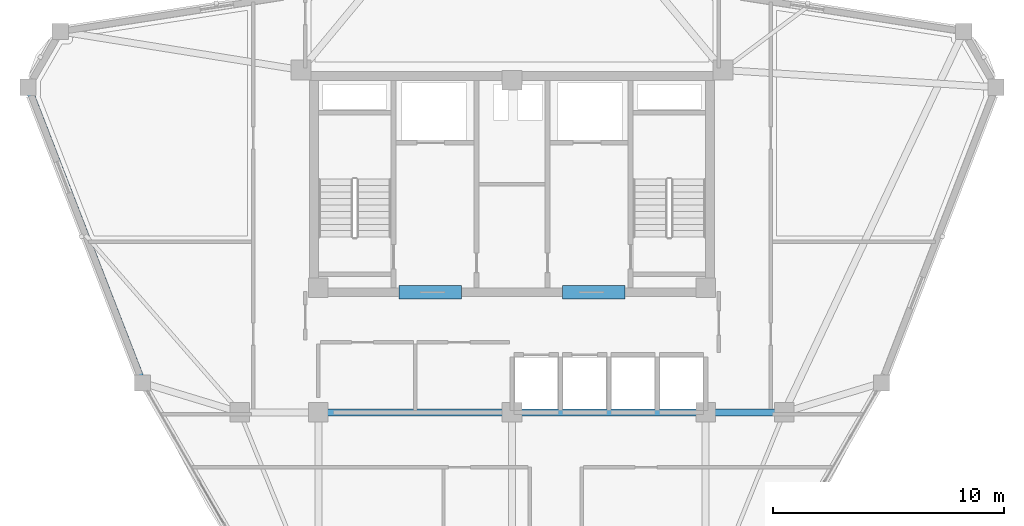
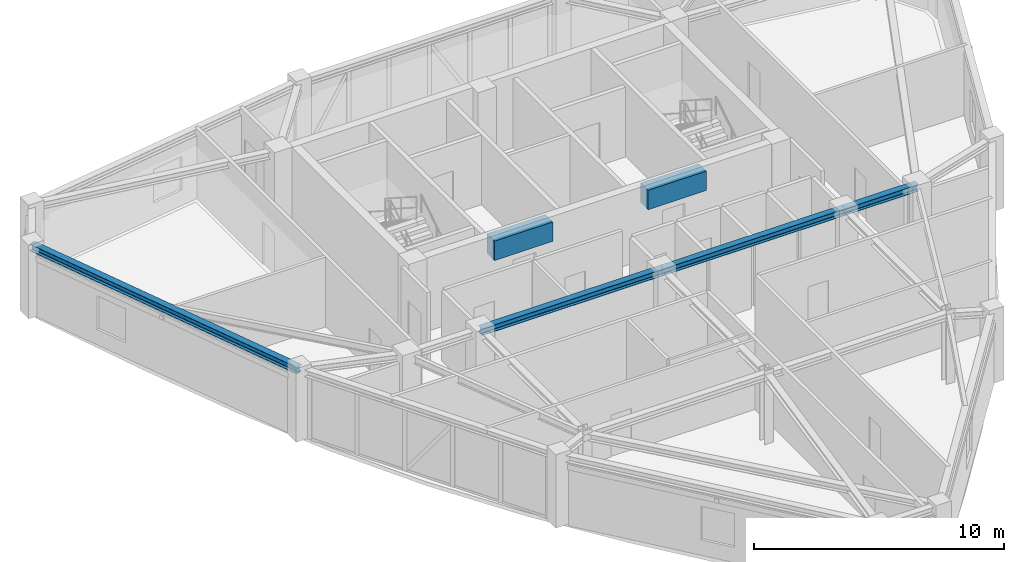
# One storey, part 6 of 15: 6 beams.
"""IFC4 building model written with IfcOpenShell, lengths in metres."""

import ifcopenshell
import ifcopenshell.guid

model = None  # the IFC model being written
_history = None  # IfcOwnerHistory: only IFC2X3 demands one
_inside = {}  # id of a spatial element -> (the spatial element, [elements in it])
_under = {}  # id of a project, library or spatial element -> (it, [spatial elements below it])
_declared = {}  # id of a project -> (the project, [libraries it declares])
_typed = {}  # id of a type object -> (the type object, [elements of that type])
_made_of = {}  # id of a material, layer set ... -> (it, [elements and type objects made of it])


def new_model(schema):
    """Start an empty IFC model of exactly this schema.

    Asked for "IFC4X3", IfcOpenShell would pick the latest addendum, in which some entities
    have other attributes; the version numbers below select the first issue.
    IFC2X3 requires an IfcOwnerHistory on every rooted entity: one is made here for all.
    """
    global model, _history
    if schema == "IFC4X3":
        model = ifcopenshell.file(schema_version=(4, 3, 0, 0))
    else:
        model = ifcopenshell.file(schema=schema)
    _inside.clear()
    _under.clear()
    _declared.clear()
    _typed.clear()
    _made_of.clear()
    _history = None
    if model.schema == "IFC2X3":
        org = make("IfcOrganization", Name="unknown")
        user = make(
            "IfcPersonAndOrganization",
            ThePerson=make("IfcPerson", FamilyName="unknown"),
            TheOrganization=org,
        )
        app = make(
            "IfcApplication",
            ApplicationDeveloper=org,
            Version="unknown",
            ApplicationFullName="unknown",
            ApplicationIdentifier="unknown",
        )
        _history = make(
            "IfcOwnerHistory",
            OwningUser=user,
            OwningApplication=app,
            ChangeAction="ADDED",
            CreationDate=0,
        )
    return model


def make(cls, **values):
    """One entity of the class cls with the attributes given. An attribute that is None is left unset."""
    return model.create_entity(
        cls, **{name: value for name, value in values.items() if value is not None}
    )


def rooted(cls, **values):
    """An entity with a GlobalId (a new one), such as an element, a storey or a relation."""
    return make(cls, GlobalId=ifcopenshell.guid.new(), OwnerHistory=_history, **values)


def si_unit(unit_type, name, prefix=None):
    """IfcSIUnit, for example si_unit("LENGTHUNIT", "METRE", prefix="MILLI")."""
    return make("IfcSIUnit", UnitType=unit_type, Prefix=prefix, Name=name)


def derived_unit(unit_type, elements):
    """IfcDerivedUnit: a product of units, each with its exponent."""
    return make(
        "IfcDerivedUnit",
        Elements=[
            make("IfcDerivedUnitElement", Unit=unit, Exponent=power)
            for unit, power in elements
        ],
        UnitType=unit_type,
    )


def assignment(units):
    """IfcUnitAssignment: the units of a project."""
    return None if units is None else make("IfcUnitAssignment", Units=units)


def point(xyz):
    """IfcCartesianPoint."""
    return None if xyz is None else make("IfcCartesianPoint", Coordinates=xyz)


def direction(xyz):
    """IfcDirection."""
    return None if xyz is None else make("IfcDirection", DirectionRatios=xyz)


def frame(location, z_axis=None, x_axis=None):
    """IfcAxis2Placement3D, a coordinate frame: its origin and axes. An axis left out is left unset."""
    return make(
        "IfcAxis2Placement3D",
        Location=point(location),
        Axis=direction(z_axis),
        RefDirection=direction(x_axis),
    )


def frame_2d(location, x_axis=None):
    """IfcAxis2Placement2D, a coordinate frame in the plane: its origin and x axis."""
    return make(
        "IfcAxis2Placement2D", Location=point(location), RefDirection=direction(x_axis)
    )


def origin():
    """The frame at (0, 0, 0) with its axes left unset."""
    return frame((0.0, 0.0, 0.0))


def origin_2d():
    """The frame at (0, 0) in the plane with its x axis left unset."""
    return frame_2d((0.0, 0.0))


def place(relative_to, where):
    """IfcLocalPlacement: puts the frame where relative to a parent placement (None: the world)."""
    return make(
        "IfcLocalPlacement", PlacementRelTo=relative_to, RelativePlacement=where
    )


def context(
    kind, dimensions, precision=None, world=None, true_north=None, identifier=None
):
    """IfcGeometricRepresentationContext, for example the 3D "Model" context."""
    return make(
        "IfcGeometricRepresentationContext",
        ContextIdentifier=identifier,
        ContextType=kind,
        CoordinateSpaceDimension=dimensions,
        Precision=precision,
        WorldCoordinateSystem=world,
        TrueNorth=true_north,
    )


def subcontext(parent, identifier, kind, view, scale=None):
    """IfcGeometricRepresentationSubContext, for example "Body" below "Model"."""
    return make(
        "IfcGeometricRepresentationSubContext",
        ContextIdentifier=identifier,
        ContextType=kind,
        ParentContext=parent,
        TargetScale=scale,
        TargetView=view,
    )


def project(units=None, contexts=None):
    """IfcProject with its units and contexts."""
    return rooted(
        "IfcProject",
        Name="project",
        RepresentationContexts=contexts,
        UnitsInContext=assignment(units),
    )


def spatial(cls, under=None, at=None, **own):
    """A site, building, storey or space (cls), placed at a placement, below another one or the project."""
    s = rooted(cls, ObjectPlacement=at, **own)
    if under is not None:
        _under.setdefault(under.id(), (under, []))[1].append(s)
    return s


def profile(cls, at=None, kind="AREA", **sizes):
    """A parametric profile (cls). Its sizes go by their IFC names, for example OverallWidth=200.0."""
    return make(cls, ProfileType=kind, Position=at, **sizes)


def rectangle(**sizes):
    """IfcRectangleProfileDef."""
    return profile("IfcRectangleProfileDef", **sizes)


def i_section(**sizes):
    """IfcIShapeProfileDef."""
    return profile("IfcIShapeProfileDef", **sizes)


def extrude(swept, where, along, depth):
    """IfcExtrudedAreaSolid: the profile swept, set in the frame where, extruded along a direction by depth."""
    return make(
        "IfcExtrudedAreaSolid",
        SweptArea=swept,
        Position=where,
        ExtrudedDirection=direction(along),
        Depth=depth,
    )


def shape(context_of_items, identifier, shape_type, items):
    """IfcShapeRepresentation: the items that make up one representation, for example the "Body"."""
    return make(
        "IfcShapeRepresentation",
        ContextOfItems=context_of_items,
        RepresentationIdentifier=identifier,
        RepresentationType=shape_type,
        Items=items,
    )


def source(mapping_origin, context_of_items, identifier, shape_type, items):
    """IfcRepresentationMap: a shape defined once, which mapped items show again and again."""
    return make(
        "IfcRepresentationMap",
        MappingOrigin=mapping_origin,
        MappedRepresentation=shape(context_of_items, identifier, shape_type, items),
    )


def transform(
    local_origin,
    x_axis=None,
    y_axis=None,
    z_axis=None,
    scale=None,
    scale2=None,
    scale3=None,
    uniform=True,
):
    """IfcCartesianTransformationOperator3D, or its non-uniform kind. x_axis, y_axis, z_axis: its Axis1, 2, 3."""
    if uniform:
        return make(
            "IfcCartesianTransformationOperator3D",
            Axis1=direction(x_axis),
            Axis2=direction(y_axis),
            LocalOrigin=point(local_origin),
            Scale=scale,
            Axis3=direction(z_axis),
        )
    return make(
        "IfcCartesianTransformationOperator3DnonUniform",
        Axis1=direction(x_axis),
        Axis2=direction(y_axis),
        LocalOrigin=point(local_origin),
        Scale=scale,
        Axis3=direction(z_axis),
        Scale2=scale2,
        Scale3=scale3,
    )


def mapped(mapping_source, mapping_target):
    """IfcMappedItem: shows the shape of a source again, moved by a transform."""
    return make(
        "IfcMappedItem", MappingSource=mapping_source, MappingTarget=mapping_target
    )


def material(Name=None, Category=None):
    """IfcMaterial."""
    return make("IfcMaterial", Name=Name, Category=Category)


def material_profile(
    of_material, cross_section, Name=None, Category=None, Priority=None
):
    """IfcMaterialProfile: a cross section and its material."""
    return make(
        "IfcMaterialProfile",
        Name=Name,
        Material=of_material,
        Profile=cross_section,
        Priority=Priority,
        Category=Category,
    )


def profile_set(profiles, Name=None, composite=None):
    """IfcMaterialProfileSet."""
    return make(
        "IfcMaterialProfileSet",
        Name=Name,
        MaterialProfiles=profiles,
        CompositeProfile=composite,
    )


def made_of(thing, what):
    """Note that an element or type object is made of a material, layer set ...; save() writes the relation."""
    if what is not None:
        _made_of.setdefault(what.id(), (what, []))[1].append(thing)
    return thing


def type_object(cls, material=None, **own):
    """A type object (cls), such as IfcWallType, which elements share."""
    return made_of(rooted(cls, **own), material)


def element(
    cls,
    number,
    at=None,
    inside=None,
    cuts=None,
    type_object=None,
    material=None,
    context=None,
    identifier="Body",
    shape_type=None,
    held_by="IfcProductDefinitionShape",
    body=None,
    shapes=None,
    **own,
):
    """One element of the class cls, such as IfcWall. Its Tag is "e" and its number.

    at: its placement. inside: the storey or other place that contains it. cuts: it is an
    opening in that element (IfcRelVoidsElement). A single representation is given by context,
    identifier, shape_type and body (its items); several are given by shapes. held_by: the class
    of the entity that holds the representations. save() writes the other relations.
    """
    e = rooted(cls, Tag="e%d" % number, ObjectPlacement=at, **own)
    if body is not None:
        shapes = [shape(context, identifier, shape_type, body)]
    if shapes is not None:
        e.Representation = make(held_by, Representations=shapes)
    if inside is not None:
        _inside.setdefault(inside.id(), (inside, []))[1].append(e)
    if cuts is not None:
        rooted(
            "IfcRelVoidsElement", RelatingBuildingElement=cuts, RelatedOpeningElement=e
        )
    if type_object is not None:
        _typed.setdefault(type_object.id(), (type_object, []))[1].append(e)
    return made_of(e, material)


def aggregate(whole, parts):
    """IfcRelAggregates: a whole, such as a stair, and the parts it consists of."""
    return rooted("IfcRelAggregates", RelatingObject=whole, RelatedObjects=parts)


def save(model, path):
    """Write the relations noted so far, then the file.

    IfcRelAggregates (storeys below a building ...), IfcRelContainedInSpatialStructure (elements
    in a storey), IfcRelDefinesByType, IfcRelAssociatesMaterial and IfcRelDeclares: one each for
    every whole, place, type object, material and project.
    """
    for whole, parts in _under.values():
        aggregate(whole, parts)
    for where, things in _inside.values():
        rooted(
            "IfcRelContainedInSpatialStructure",
            RelatedElements=things,
            RelatingStructure=where,
        )
    for kind, things in _typed.values():
        rooted("IfcRelDefinesByType", RelatedObjects=things, RelatingType=kind)
    for what, things in _made_of.values():
        rooted("IfcRelAssociatesMaterial", RelatedObjects=things, RelatingMaterial=what)
    for by, libraries in _declared.values():
        rooted("IfcRelDeclares", RelatingContext=by, RelatedDefinitions=libraries)
    model.write(path)


model = new_model("IFC4")

# Units and contexts
model_context = context("Model", 3, precision=1e-05, world=origin(), true_north=direction((0.0, 1.0)))
body_context = subcontext(model_context, "Body", "Model", "MODEL_VIEW")
ifc_project = project(units=[si_unit("LENGTHUNIT", "METRE"), si_unit("AREAUNIT", "SQUARE_METRE"), si_unit("VOLUMEUNIT", "CUBIC_METRE"), si_unit("PLANEANGLEUNIT", "RADIAN"), si_unit("MASSUNIT", "GRAM", prefix="KILO"), derived_unit("THERMALTRANSMITTANCEUNIT", [(si_unit("POWERUNIT", "WATT"), 1), (si_unit("LENGTHUNIT", "METRE"), -2), (si_unit("THERMODYNAMICTEMPERATUREUNIT", "KELVIN"), -1)])], contexts=[model_context])

# Site, building, storey
site_placement = place(None, origin())
site = spatial("IfcSite", under=ifc_project, at=site_placement, CompositionType="ELEMENT")
building_placement = place(site_placement, origin())
building = spatial("IfcBuilding", under=site, at=building_placement, Name="Korsvarv Bourse and Concert Hall", CompositionType="ELEMENT")
storey_placement = place(building_placement, frame((0.0, 0.0, 246.60009765625)))
storey = spatial("IfcBuildingStorey", under=building, at=storey_placement, Name="L64", CompositionType="ELEMENT", Elevation=246.60009765625)

# Beams
ifc_material_1 = material(Name="Concrete C55/67", Category="concrete")
ifc_material_profile_1 = material_profile(ifc_material_1, rectangle(XDim=0.60009765625, YDim=0.949951171875, at=origin_2d()), Name="RC-BM 600x950")
ifc_profile_set_1 = profile_set([ifc_material_profile_1], Name="Concrete C55/67")
beam_type_1 = type_object("IfcBeamType", Name="BM-CPL", PredefinedType="LINTEL", material=ifc_profile_set_1)
shared_shape_1 = source(origin(), body_context, "Body", "SweptSolid", [
    extrude(rectangle(XDim=0.60009765625, YDim=0.949951171875, at=origin_2d()), origin(), (0.0, 0.0, 1.0), 2.699951171875),
])
for number, where, z_axis, x_axis, name in (
    (1, (31.10009765625, 37.610107421875, 2.934814453125), (1.0, 0.0, 0.0), (0.0, 1.0, 0.0), "L64 Core Coupling Beam West"),
    (2, (38.199951171875, 37.610107421875, 2.934814453125), (1.0, 0.0, 0.0), (0.0, 1.0, 0.0), "L64 Core Coupling Beam East"),
):
    element("IfcBeam", number, at=place(storey_placement, frame(where, z_axis=z_axis, x_axis=x_axis)), inside=storey, type_object=beam_type_1, Name=name, PredefinedType="LINTEL", context=body_context, shape_type="MappedRepresentation", body=[
        mapped(shared_shape_1, transform((0.0, 0.0, 0.0), scale=1.0)),
    ])
ifc_material_2 = material(Name="Steel S355", Category="steel")
ifc_material_profile_2 = material_profile(ifc_material_2, i_section(OverallWidth=0.300048828125, OverallDepth=0.330078125, WebThickness=0.009521484375, FlangeThickness=0.0166015625, FilletRadius=0.02099609375, at=origin_2d()), Name="HEA 340")
ifc_profile_set_2 = profile_set([ifc_material_profile_2], Name="Steel S355")
beam_type_2 = type_object("IfcBeamType", Name="BM-HEA340", PredefinedType="BEAM", material=ifc_profile_set_2)
shared_shape_2 = source(origin(), body_context, "Body", "SweptSolid", [
    extrude(i_section(OverallWidth=0.300048828125, OverallDepth=0.330078125, WebThickness=0.009521484375, FlangeThickness=0.0166015625, FilletRadius=0.02099609375, at=origin_2d()), origin(), (0.0, 0.0, 1.0), 3.400146484375),
])
beam_1_placement = place(storey_placement, frame((44.39990234375, 32.39990234375, 3.244873046875), z_axis=(1.0, 0.0, 0.0), x_axis=(0.0, 1.0, 0.0)))
element("IfcBeam", 3, at=beam_1_placement, inside=storey, type_object=beam_type_2, Name="L64 beam B-12", PredefinedType="BEAM", context=body_context, shape_type="MappedRepresentation", body=[
    mapped(shared_shape_2, transform((0.0, 0.0, 0.0), scale=1.0)),
])
shared_shape_3 = source(origin(), body_context, "Body", "SweptSolid", [
    extrude(i_section(OverallWidth=0.300048828125, OverallDepth=0.330078125, WebThickness=0.009521484375, FlangeThickness=0.0166015625, FilletRadius=0.02099609375, at=origin_2d()), origin(), (0.0, 0.0, 1.0), 8.39990234375),
])
for number, where, z_axis, x_axis, name in (
    (4, (27.60009765625, 32.39990234375, 3.244873046875), (1.0, 0.0, 0.0), (0.0, 1.0, 0.0), "L64 beam B-12"),
    (5, (36.0, 32.39990234375, 3.244873046875), (1.0, 0.0, 0.0), (0.0, 1.0, 0.0), "L64 beam B-12"),
):
    element("IfcBeam", number, at=place(storey_placement, frame(where, z_axis=z_axis, x_axis=x_axis)), inside=storey, type_object=beam_type_2, Name=name, PredefinedType="BEAM", context=body_context, shape_type="MappedRepresentation", body=[
        mapped(shared_shape_3, transform((0.0, 0.0, 0.0), scale=1.0)),
    ])
shared_shape_4 = source(origin(), body_context, "Body", "SweptSolid", [
    extrude(i_section(OverallWidth=0.300048828125, OverallDepth=0.330078125, WebThickness=0.009521484375, FlangeThickness=0.0166015625, FilletRadius=0.02099609375, at=origin_2d()), origin(), (0.0, 0.0, 1.0), 13.74853515625),
])
beam_2_placement = place(storey_placement, frame((15.01220703125, 46.503662109375, 3.244873046875), z_axis=(0.361259117053, -0.932465468715, 0.0), x_axis=(0.932465468715, 0.361259117053, 0.0)))
element("IfcBeam", 6, at=beam_2_placement, inside=storey, type_object=beam_type_2, Name="L64 beam B-12", PredefinedType="BEAM", context=body_context, shape_type="MappedRepresentation", body=[
    mapped(shared_shape_4, transform((0.0, 0.0, 0.0), scale=1.0)),
])

save(model, "model.ifc")
